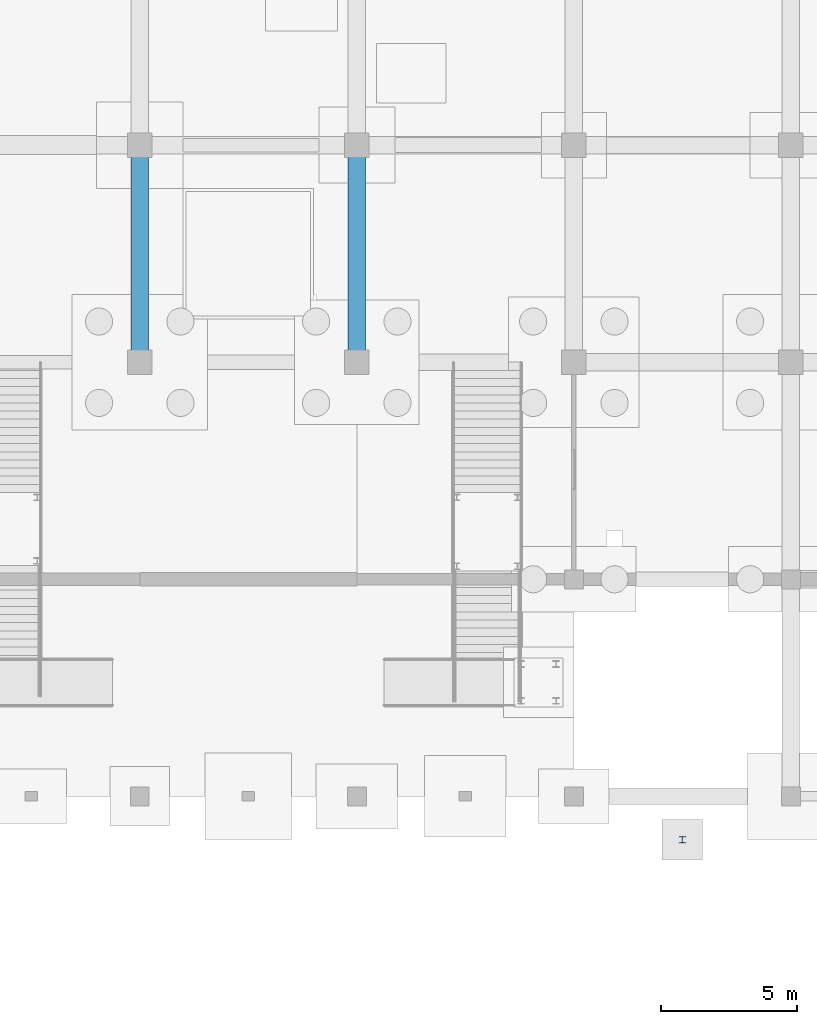
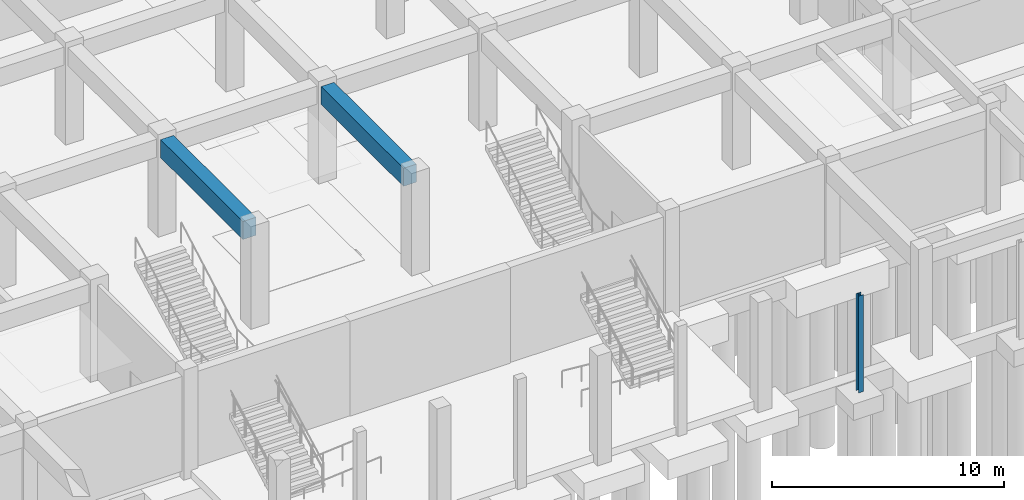
# One storey, part 15 of 45: 2 beams, 1 member.
"""IFC4 building model written with IfcOpenShell, lengths in metres."""

from ifc_helpers import new_model, si_unit, direction, frame, origin, origin_2d, place, context, subcontext, project, spatial, rectangle, i_section, extrude, material, material_profile, profile_set, type_object, element, save


model = new_model("IFC4")

# Units and contexts
model_context = context("Model", 3, precision=1e-05, world=origin(), true_north=direction((0.0, 1.0)))
body_context = subcontext(model_context, "Body", "Model", "MODEL_VIEW")
ifc_project = project(units=[si_unit("LENGTHUNIT", "METRE"), si_unit("AREAUNIT", "SQUARE_METRE"), si_unit("VOLUMEUNIT", "CUBIC_METRE"), si_unit("PLANEANGLEUNIT", "RADIAN"), si_unit("MASSUNIT", "GRAM", prefix="KILO")], contexts=[model_context])

# Site, building, storey
site_placement = place(None, origin())
site = spatial("IfcSite", under=ifc_project, at=site_placement, CompositionType="ELEMENT")
building_placement = place(site_placement, origin())
building = spatial("IfcBuilding", under=site, at=building_placement, Name="Kenh Van Central Station", CompositionType="ELEMENT")
storey_placement = place(building_placement, frame((0.0, 0.0, -5.39990234375)))
storey = spatial("IfcBuildingStorey", under=building, at=storey_placement, Name="B1", CompositionType="ELEMENT", Elevation=-5.39990234375)

# Beams
ifc_material_1 = material(Name="Concrete C40/50", Category="concrete")
ifc_material_profile_1 = material_profile(ifc_material_1, rectangle(XDim=0.64990234375, YDim=0.949951171875, at=origin_2d()), Name="RC 650x950")
ifc_profile_set_1 = profile_set([ifc_material_profile_1], Name="Concrete C40/50")
beam_type = type_object("IfcBeamType", Name="BM-RC-650x950", PredefinedType="BEAM", material=ifc_profile_set_1)
for number, where, z_axis, x_axis, name in (
    (1, (80.0, 16.43994140625, 4.625), (0.0, 1.0, 0.0), (-1.0, 0.0, 0.0), "B1 beam 0206"),
    (2, (88.0, 16.43994140625, 4.625), (0.0, 1.0, 0.0), (-1.0, 0.0, 0.0), "B1 beam 0209"),
):
    element("IfcBeam", number, at=place(storey_placement, frame(where, z_axis=z_axis, x_axis=x_axis)), inside=storey, type_object=beam_type, Name=name, PredefinedType="BEAM", context=body_context, shape_type="SweptSolid", body=[
        extrude(rectangle(XDim=0.64990234375, YDim=0.949951171875, at=origin_2d()), origin(), (0.0, 0.0, 1.0), 7.1201171875),
    ])

# Member
ifc_material_2 = material(Name="Steel S355", Category="steel")
ifc_material_profile_2 = material_profile(ifc_material_2, i_section(OverallWidth=0.239990234375, OverallDepth=0.22998046875, WebThickness=0.007568359375, FlangeThickness=0.011962890625, FilletRadius=0.02099609375, at=origin_2d()), Name="HEA 240")
ifc_profile_set_2 = profile_set([ifc_material_profile_2], Name="Steel S355")
member_type = type_object("IfcMemberType", Name="MEM-ROOF-POST240", PredefinedType="POST", material=ifc_profile_set_2)
member_placement = place(storey_placement, frame((100.0, -1.60009765625, 0.0), z_axis=(0.0, 0.0, 1.0), x_axis=(1.0, 0.0, 0.0)))
element("IfcMember", 3, at=member_placement, inside=storey, type_object=member_type, Name="B1 forecourt apron support post 21", PredefinedType="POST", context=body_context, shape_type="SweptSolid", body=[
    extrude(i_section(OverallWidth=0.239990234375, OverallDepth=0.22998046875, WebThickness=0.007568359375, FlangeThickness=0.011962890625, FilletRadius=0.02099609375, at=origin_2d()), origin(), (0.0, 0.0, 1.0), 5.099853515625),
])

save(model, "model.ifc")
